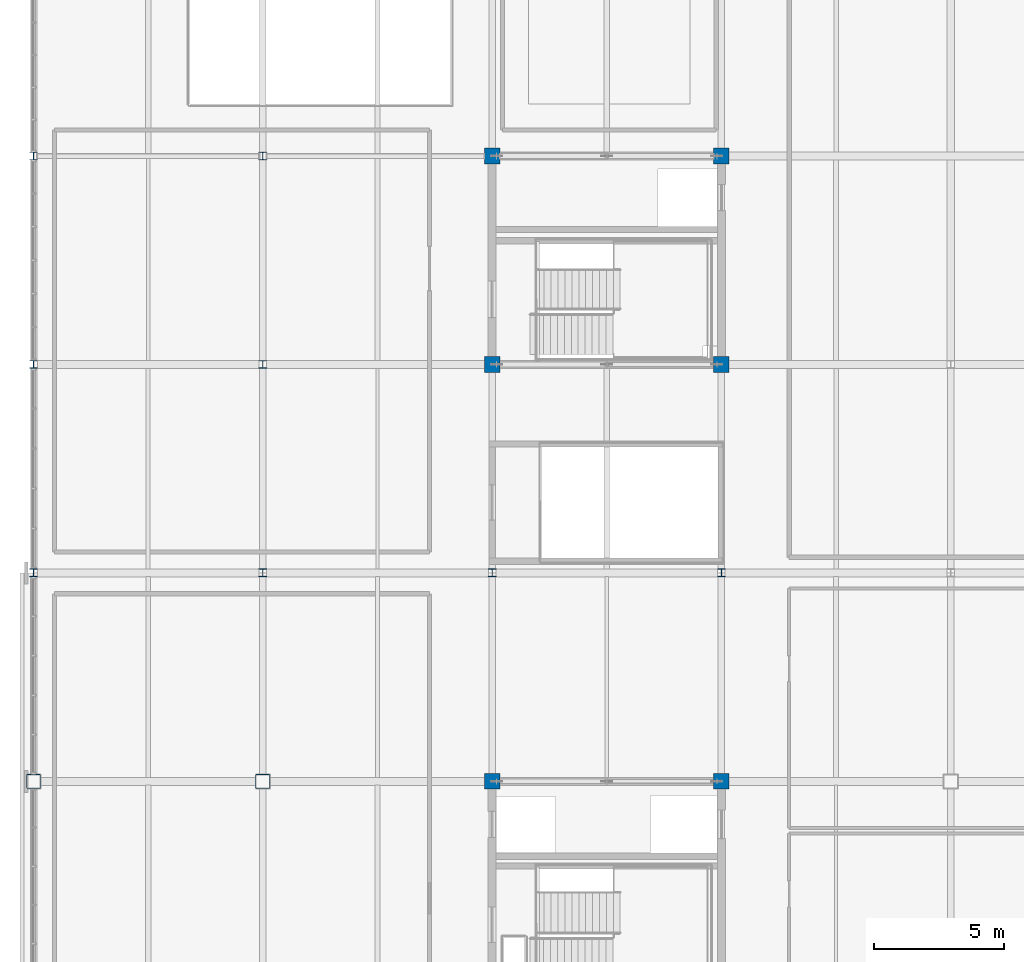
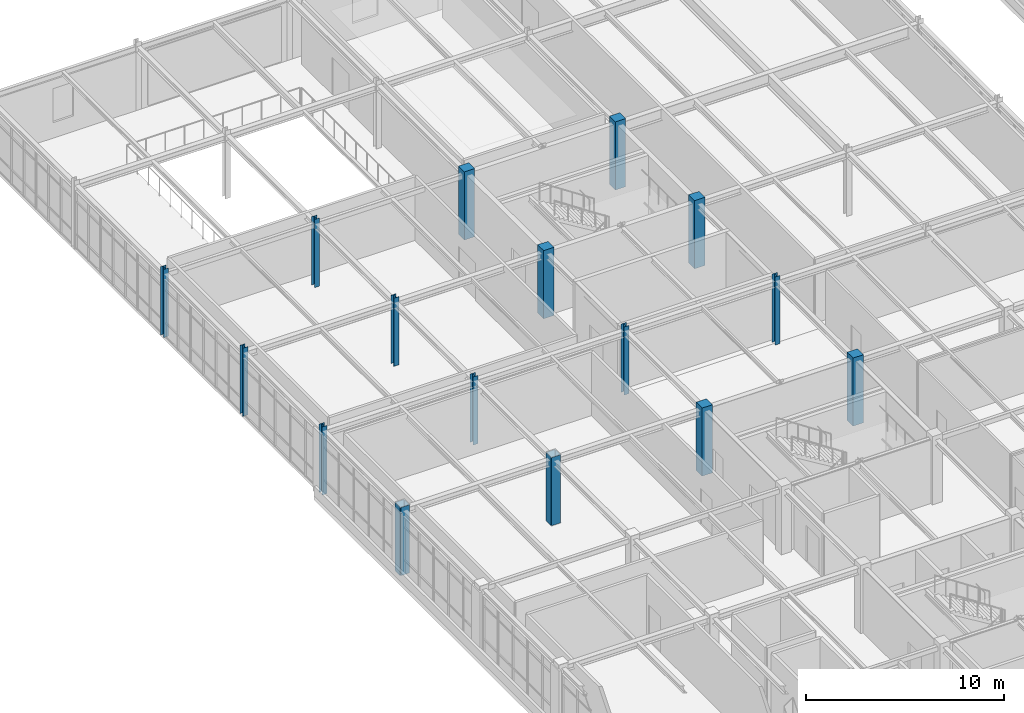
# One storey, part 4 of 88: 16 columns.
"""IFC4 building model written with IfcOpenShell, lengths in metres."""

from ifc_helpers import new_model, si_unit, direction, frame, origin, origin_2d, place, context, subcontext, project, spatial, rectangle, hollow_rectangle, i_section, extrude, material, material_profile, profile_set, type_object, element, save


model = new_model("IFC4")

# Units and contexts
model_context = context("Model", 3, precision=1e-05, world=origin(), true_north=direction((0.0, 1.0)))
body_context = subcontext(model_context, "Body", "Model", "MODEL_VIEW")
ifc_project = project(units=[si_unit("LENGTHUNIT", "METRE"), si_unit("AREAUNIT", "SQUARE_METRE"), si_unit("VOLUMEUNIT", "CUBIC_METRE"), si_unit("PLANEANGLEUNIT", "RADIAN"), si_unit("MASSUNIT", "GRAM", prefix="KILO")], contexts=[model_context])

# Site, building, storey
site_placement = place(None, origin())
site = spatial("IfcSite", under=ifc_project, at=site_placement, CompositionType="ELEMENT")
building_placement = place(site_placement, origin())
building = spatial("IfcBuilding", under=site, at=building_placement, Name="Zhaolan Boulevard Law Courts", CompositionType="ELEMENT")
storey_placement = place(building_placement, frame((0.0, 0.0, 16.199951171875)))
storey = spatial("IfcBuildingStorey", under=building, at=storey_placement, Name="L03", CompositionType="ELEMENT", Elevation=16.199951171875)

# Columns
ifc_material_1 = material(Name="Structural steel Q390B", Category="steel")
ifc_material_profile_1 = material_profile(ifc_material_1, hollow_rectangle(XDim=0.550048828125, YDim=0.550048828125, WallThickness=0.02197265625, InnerFilletRadius=0.02197265625, OuterFilletRadius=0.0439453125, at=origin_2d()), Name="BOX550x550x22")
ifc_profile_set_1 = profile_set([ifc_material_profile_1], Name="Structural steel Q390B")
column_type_1 = type_object("IfcColumnType", Name="COL BOX550", PredefinedType="COLUMN", material=ifc_profile_set_1)
for number, where, z_axis, x_axis, name in (
    (1, (0.0, 70.0, 0.0), (0.0, 0.0, 1.0), (1.0, 0.0, 0.0), "Column C-1K (L03)"),
    (2, (8.800048828125, 70.0, 0.0), (0.0, 0.0, 1.0), (1.0, 0.0, 0.0), "Column C-2K (L03)"),
):
    element("IfcColumn", number, at=place(storey_placement, frame(where, z_axis=z_axis, x_axis=x_axis)), inside=storey, type_object=column_type_1, Name=name, PredefinedType="COLUMN", context=body_context, shape_type="SweptSolid", body=[
        extrude(hollow_rectangle(XDim=0.550048828125, YDim=0.550048828125, WallThickness=0.02197265625, InnerFilletRadius=0.02197265625, OuterFilletRadius=0.0439453125, at=origin_2d()), origin(), (0.0, 0.0, 1.0), 4.199951171875),
    ])
ifc_material_2 = material(Name="Structural steel Q355B", Category="steel")
ifc_material_profile_2 = material_profile(ifc_material_2, i_section(OverallWidth=0.300048828125, OverallDepth=0.300048828125, WebThickness=0.010009765625, FlangeThickness=0.014892578125, FilletRadius=0.01806640625, at=origin_2d()), Name="HW300x300")
ifc_profile_set_2 = profile_set([ifc_material_profile_2], Name="Structural steel Q355B")
column_type_2 = type_object("IfcColumnType", Name="COL HW300", PredefinedType="COLUMN", material=ifc_profile_set_2)
for number, where, z_axis, x_axis, name in (
    (3, (0.0, 78.0, 0.0), (0.0, 0.0, 1.0), (1.0, 0.0, 0.0), "Column C-1L (L03)"),
    (4, (0.0, 86.0, 0.0), (0.0, 0.0, 1.0), (1.0, 0.0, 0.0), "Column C-1M (L03)"),
    (5, (0.0, 94.0, 0.0), (0.0, 0.0, 1.0), (1.0, 0.0, 0.0), "Column C-1N (L03)"),
    (6, (8.800048828125, 78.0, 0.0), (0.0, 0.0, 1.0), (1.0, 0.0, 0.0), "Column C-2L (L03)"),
    (7, (8.800048828125, 86.0, 0.0), (0.0, 0.0, 1.0), (1.0, 0.0, 0.0), "Column C-2M (L03)"),
    (8, (8.800048828125, 94.0, 0.0), (0.0, 0.0, 1.0), (1.0, 0.0, 0.0), "Column C-2N (L03)"),
    (9, (17.60009765625, 78.0, 0.0), (0.0, 0.0, 1.0), (1.0, 0.0, 0.0), "Column C-3L (L03)"),
    (10, (26.39990234375, 78.0, 0.0), (0.0, 0.0, 1.0), (1.0, 0.0, 0.0), "Column C-4L (L03)"),
):
    element("IfcColumn", number, at=place(storey_placement, frame(where, z_axis=z_axis, x_axis=x_axis)), inside=storey, type_object=column_type_2, Name=name, PredefinedType="COLUMN", context=body_context, shape_type="SweptSolid", body=[
        extrude(i_section(OverallWidth=0.300048828125, OverallDepth=0.300048828125, WebThickness=0.010009765625, FlangeThickness=0.014892578125, FilletRadius=0.01806640625, at=origin_2d()), origin(), (0.0, 0.0, 1.0), 4.199951171875),
    ])
ifc_material_3 = material(Name="Concrete C50", Category="concrete")
ifc_material_profile_3 = material_profile(ifc_material_3, rectangle(XDim=0.60009765625, YDim=0.60009765625, at=origin_2d()), Name="RC600x600")
ifc_profile_set_3 = profile_set([ifc_material_profile_3], Name="Concrete C50")
column_type_3 = type_object("IfcColumnType", Name="COL RC600", PredefinedType="COLUMN", material=ifc_profile_set_3)
for number, where, z_axis, x_axis, name in (
    (11, (17.60009765625, 70.0, 0.0), (0.0, 0.0, 1.0), (1.0, 0.0, 0.0), "Column C-3K (L03)"),
    (12, (17.60009765625, 86.0, 0.0), (0.0, 0.0, 1.0), (1.0, 0.0, 0.0), "Column C-3M (L03)"),
    (13, (17.60009765625, 94.0, 0.0), (0.0, 0.0, 1.0), (1.0, 0.0, 0.0), "Column C-3N (L03)"),
    (14, (26.39990234375, 70.0, 0.0), (0.0, 0.0, 1.0), (1.0, 0.0, 0.0), "Column C-4K (L03)"),
    (15, (26.39990234375, 86.0, 0.0), (0.0, 0.0, 1.0), (1.0, 0.0, 0.0), "Column C-4M (L03)"),
    (16, (26.39990234375, 94.0, 0.0), (0.0, 0.0, 1.0), (1.0, 0.0, 0.0), "Column C-4N (L03)"),
):
    element("IfcColumn", number, at=place(storey_placement, frame(where, z_axis=z_axis, x_axis=x_axis)), inside=storey, type_object=column_type_3, Name=name, PredefinedType="COLUMN", context=body_context, shape_type="SweptSolid", body=[
        extrude(rectangle(XDim=0.60009765625, YDim=0.60009765625, at=origin_2d()), origin(), (0.0, 0.0, 1.0), 4.199951171875),
    ])

save(model, "model.ifc")
